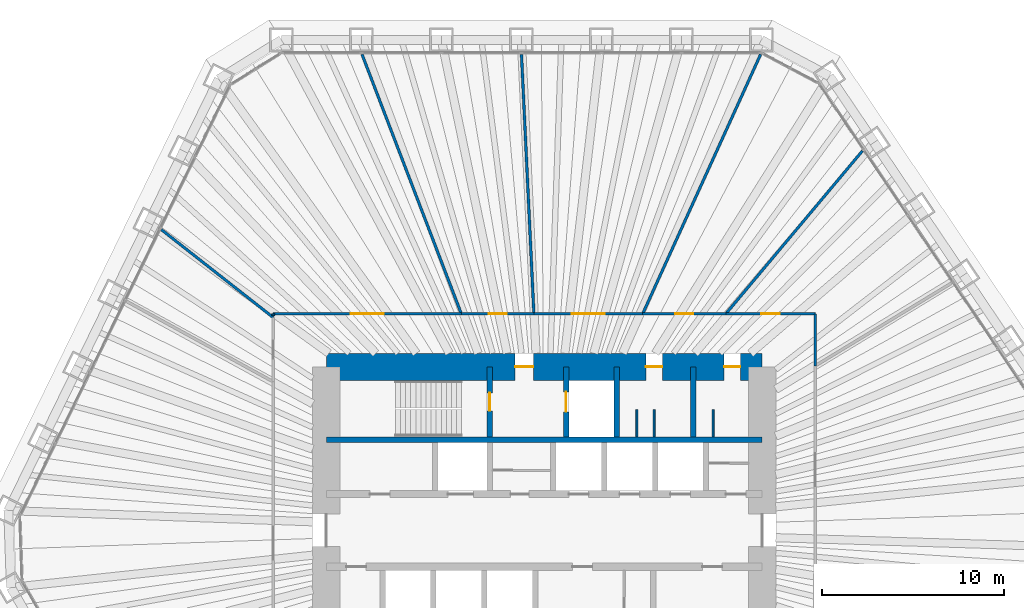
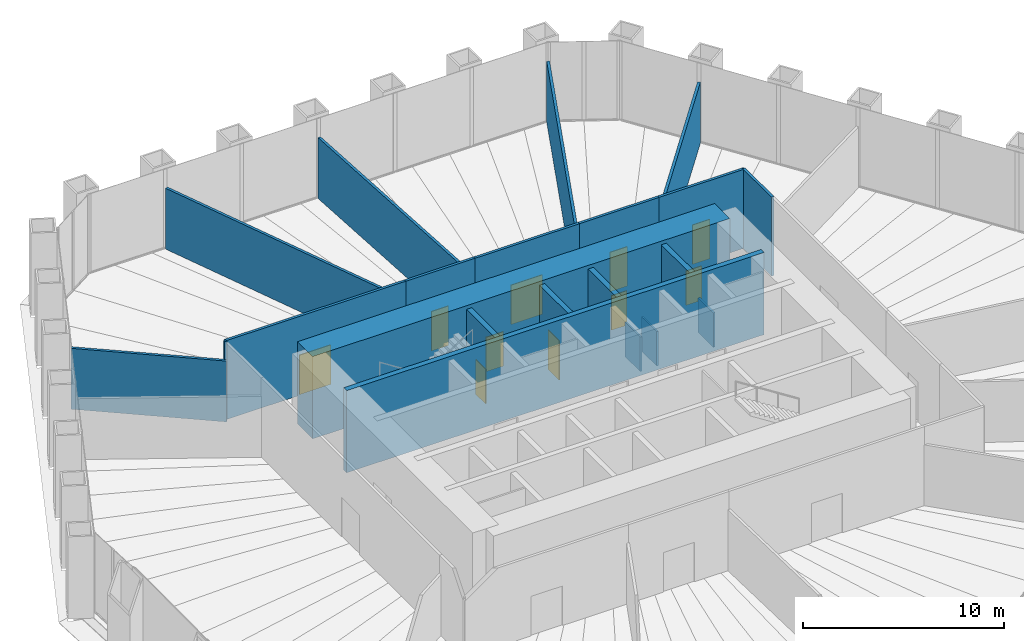
# One storey, part 12 of 14: 21 walls, 10 doors, 10 openings.
"""IFC4 building model written with IfcOpenShell, lengths in metres."""

from ifc_helpers import new_model, si_unit, direction, frame, frame_2d, origin, place, context, subcontext, project, spatial, rectangle, extrude, material, layer, layer_set, type_object, element, fill, save


model = new_model("IFC4")

# Units and contexts
model_context = context("Model", 3, precision=1e-05, world=origin(), true_north=direction((0.0, 1.0)))
body_context = subcontext(model_context, "Body", "Model", "MODEL_VIEW")
ifc_project = project(units=[si_unit("LENGTHUNIT", "METRE"), si_unit("AREAUNIT", "SQUARE_METRE"), si_unit("VOLUMEUNIT", "CUBIC_METRE"), si_unit("PLANEANGLEUNIT", "RADIAN"), si_unit("MASSUNIT", "GRAM", prefix="KILO")], contexts=[model_context])

# Site, building, storey
site_placement = place(None, origin())
site = spatial("IfcSite", under=ifc_project, at=site_placement, CompositionType="ELEMENT")
building_placement = place(site_placement, origin())
building = spatial("IfcBuilding", under=site, at=building_placement, Name="Qingtian Harvest Tower", CompositionType="ELEMENT")
storey_placement = place(building_placement, frame((0.0, 0.0, 57.0)))
storey = spatial("IfcBuildingStorey", under=building, at=storey_placement, Name="L11", CompositionType="ELEMENT", Elevation=57.0)

# Wall
ifc_material_1 = material(Name="Concrete fc' 70 MPa", Category="concrete")
ifc_layer_1 = layer(ifc_material_1, 0.300048828125)
ifc_layer_set_1 = layer_set([ifc_layer_1], Name="Core inner wall RC5 300")
wall_type_1 = type_object("IfcWallType", Name="Core inner wall RC5 300", PredefinedType="SHEAR", material=ifc_layer_set_1)
wall_1_placement = place(storey_placement, frame((-12.0, 5.0, 0.0), z_axis=(0.0, 0.0, 1.0), x_axis=(1.0, 0.0, 0.0)))
element("IfcWall", 1, at=wall_1_placement, inside=storey, type_object=wall_type_1, Name="Core wall IN5 L11", PredefinedType="SHEAR", context=body_context, shape_type="SweptSolid", body=[
    extrude(rectangle(XDim=24.0, YDim=0.300048828125, at=frame_2d((12.0, 0.0))), origin(), (0.0, 0.0, 1.0), 5.0),
])

# Wall, opening, door
ifc_material_2 = material(Name="Precast concrete shaft panel", Category="concrete")
ifc_layer_2 = layer(ifc_material_2, 0.300048828125)
ifc_layer_set_2 = layer_set([ifc_layer_2], Name="Core shaft partition SW1 300")
wall_type_2 = type_object("IfcWallType", Name="Core shaft partition SW1 300", PredefinedType="PARTITIONING", material=ifc_layer_set_2)
wall_2_placement = place(storey_placement, frame((-3.0, 5.14990234375, 0.0), z_axis=(0.0, 0.0, 1.0), x_axis=(0.0, 1.0, 0.0)))
wall_2 = element("IfcWall", 2, at=wall_2_placement, inside=storey, type_object=wall_type_2, Name="Core shaft partition XN1 L11", PredefinedType="PARTITIONING", context=body_context, shape_type="SweptSolid", body=[
    extrude(rectangle(XDim=3.85009765625, YDim=0.300048828125, at=frame_2d((1.925048828125, 0.0))), origin(), (0.0, 0.0, 1.0), 4.780029296875),
])
opening_1_placement = place(wall_2_placement, frame((1.425048828125, 0.0, 0.0)))
opening_1 = element("IfcOpeningElement", 3, at=opening_1_placement, cuts=wall_2, Name="Opening FD1", PredefinedType="OPENING", context=body_context, shape_type="SweptSolid", body=[
    extrude(rectangle(XDim=1.0, YDim=2.10009765625, at=frame_2d((0.5, 1.050048828125))), frame((0.0, 0.159912109375, 0.0), z_axis=(0.0, -1.0, 0.0), x_axis=(1.0, 0.0, 0.0)), (0.0, 0.0, 1.0), 0.320068359375),
])
ifc_material_3 = material(Name="Steel-faced door leaf", Category="steel")
door_type_1 = type_object("IfcDoorType", Name="Fire door FD1 single 1 HR", OperationType="SINGLE_SWING_LEFT", PredefinedType="DOOR", material=ifc_material_3)
door_1_placement = place(opening_1_placement, origin())
door_1 = element("IfcDoor", 4, at=door_1_placement, inside=storey, type_object=door_type_1, Name="S1 door L11", OperationType="SINGLE_SWING_RIGHT", OverallHeight=2.10009765625, OverallWidth=1.0, PredefinedType="DOOR", context=body_context, shape_type="SweptSolid", body=[
    extrude(rectangle(XDim=1.0, YDim=2.10009765625, at=frame_2d((0.5, 1.050048828125))), frame((0.0, 0.02490234375, 0.0), z_axis=(0.0, -1.0, 0.0), x_axis=(1.0, 0.0, 0.0)), (0.0, 0.0, 1.0), 0.050048828125),
])
fill(opening_1, door_1)

wall_3_placement = place(storey_placement, frame((1.199951171875, 5.14990234375, 0.0), z_axis=(0.0, 0.0, 1.0), x_axis=(0.0, 1.0, 0.0)))
wall_3 = element("IfcWall", 5, at=wall_3_placement, inside=storey, type_object=wall_type_2, Name="Core shaft partition XN2 L11", PredefinedType="PARTITIONING", context=body_context, shape_type="SweptSolid", body=[
    extrude(rectangle(XDim=3.85009765625, YDim=0.300048828125, at=frame_2d((1.925048828125, 0.0))), origin(), (0.0, 0.0, 1.0), 4.780029296875),
])
opening_2_placement = place(wall_3_placement, frame((1.375, 0.0, 0.0)))
opening_2 = element("IfcOpeningElement", 6, at=opening_2_placement, cuts=wall_3, Name="Opening LD1", PredefinedType="OPENING", context=body_context, shape_type="SweptSolid", body=[
    extrude(rectangle(XDim=1.10009765625, YDim=2.39990234375, at=frame_2d((0.550048828125, 1.199951171875))), frame((0.0, 0.159912109375, 0.0), z_axis=(0.0, -1.0, 0.0), x_axis=(1.0, 0.0, 0.0)), (0.0, 0.0, 1.0), 0.320068359375),
])
ifc_material_4 = material(Name="Stainless steel lift landing door", Category="steel")
door_type_2 = type_object("IfcDoorType", Name="Lift landing door LD1 1 HR", OperationType="DOUBLE_DOOR_SLIDING", PredefinedType="DOOR", material=ifc_material_4)
door_2_placement = place(opening_2_placement, origin())
door_2 = element("IfcDoor", 7, at=door_2_placement, inside=storey, type_object=door_type_2, Name="FL1 landing door L11", OperationType="DOUBLE_DOOR_SLIDING", OverallHeight=2.39990234375, OverallWidth=1.10009765625, PredefinedType="DOOR", context=body_context, shape_type="SweptSolid", body=[
    extrude(rectangle(XDim=1.10009765625, YDim=2.39990234375, at=frame_2d((0.550048828125, 1.199951171875))), frame((0.0, 0.02490234375, 0.0), z_axis=(0.0, -1.0, 0.0), x_axis=(1.0, 0.0, 0.0)), (0.0, 0.0, 1.0), 0.050048828125),
])
fill(opening_2, door_2)

# Walls
for number, where, z_axis, x_axis, name in (
    (8, (4.0, 5.14990234375, 0.0), (0.0, 0.0, 1.0), (0.0, 1.0, 0.0), "Core shaft partition XN3 L11"),
    (9, (8.199951171875, 5.14990234375, 0.0), (0.0, 0.0, 1.0), (0.0, 1.0, 0.0), "Core shaft partition XN4 L11"),
):
    element("IfcWall", number, at=place(storey_placement, frame(where, z_axis=z_axis, x_axis=x_axis)), inside=storey, type_object=wall_type_2, Name=name, PredefinedType="PARTITIONING", context=body_context, shape_type="SweptSolid", body=[
        extrude(rectangle(XDim=3.85009765625, YDim=0.300048828125, at=frame_2d((1.925048828125, 0.0))), origin(), (0.0, 0.0, 1.0), 4.780029296875),
    ])

# Wall, openings, doors
ifc_material_5 = material(Name="Concrete fc' 70 MPa", Category="concrete")
ifc_layer_3 = layer(ifc_material_5, 1.5)
ifc_layer_set_3 = layer_set([ifc_layer_3], Name="Core wall RC1 1500")
wall_type_3 = type_object("IfcWallType", Name="Core wall RC1 1500", PredefinedType="SHEAR", material=ifc_layer_set_3)
wall_4_placement = place(storey_placement, frame((-12.0, 9.0, 0.0), z_axis=(0.0, 0.0, 1.0), x_axis=(1.0, 0.0, 0.0)))
wall_4 = element("IfcWall", 10, at=wall_4_placement, inside=storey, type_object=wall_type_3, Name="Core wall CN L11", PredefinedType="SHEAR", context=body_context, shape_type="SweptSolid", body=[
    extrude(rectangle(XDim=24.0, YDim=1.5, at=frame_2d((12.0, 0.0))), origin(), (0.0, 0.0, 1.0), 5.0),
])
opening_3_placement = place(wall_4_placement, frame((10.39990234375, 0.0, 0.0)))
opening_3 = element("IfcOpeningElement", 11, at=opening_3_placement, cuts=wall_4, Name="Opening FD1", PredefinedType="OPENING", context=body_context, shape_type="SweptSolid", body=[
    extrude(rectangle(XDim=1.0, YDim=2.10009765625, at=frame_2d((0.5, 1.050048828125))), frame((0.0, 0.760009765625, 0.0), z_axis=(0.0, -1.0, 0.0), x_axis=(1.0, 0.0, 0.0)), (0.0, 0.0, 1.0), 1.52001953125),
])
opening_4_placement = place(wall_4_placement, frame((17.60009765625, 0.0, 0.0)))
opening_4 = element("IfcOpeningElement", 12, at=opening_4_placement, cuts=wall_4, Name="Opening D1", PredefinedType="OPENING", context=body_context, shape_type="SweptSolid", body=[
    extrude(rectangle(XDim=0.89990234375, YDim=2.10009765625, at=frame_2d((0.449951171875, 1.050048828125))), frame((0.0, 0.760009765625, 0.0), z_axis=(0.0, -1.0, 0.0), x_axis=(1.0, 0.0, 0.0)), (0.0, 0.0, 1.0), 1.52001953125),
])
opening_5_placement = place(wall_4_placement, frame((21.89990234375, 0.0, 0.0)))
opening_5 = element("IfcOpeningElement", 13, at=opening_5_placement, cuts=wall_4, Name="Opening D1", PredefinedType="OPENING", context=body_context, shape_type="SweptSolid", body=[
    extrude(rectangle(XDim=0.89990234375, YDim=2.10009765625, at=frame_2d((0.449951171875, 1.050048828125))), frame((0.0, 0.760009765625, 0.0), z_axis=(0.0, -1.0, 0.0), x_axis=(1.0, 0.0, 0.0)), (0.0, 0.0, 1.0), 1.52001953125),
])
door_3_placement = place(opening_3_placement, origin())
door_3 = element("IfcDoor", 14, at=door_3_placement, inside=storey, type_object=door_type_1, Name="V1 door L11", OperationType="SINGLE_SWING_RIGHT", OverallHeight=2.10009765625, OverallWidth=1.0, PredefinedType="DOOR", context=body_context, shape_type="SweptSolid", body=[
    extrude(rectangle(XDim=1.0, YDim=2.10009765625, at=frame_2d((0.5, 1.050048828125))), frame((0.0, 0.02490234375, 0.0), z_axis=(0.0, -1.0, 0.0), x_axis=(1.0, 0.0, 0.0)), (0.0, 0.0, 1.0), 0.050048828125),
])
fill(opening_3, door_3)
ifc_material_6 = material(Name="Laminated timber door leaf", Category="wood")
door_type_3 = type_object("IfcDoorType", Name="Toilet door D1 single", OperationType="SINGLE_SWING_LEFT", PredefinedType="DOOR", material=ifc_material_6)
door_4_placement = place(opening_4_placement, origin())
door_4 = element("IfcDoor", 15, at=door_4_placement, inside=storey, type_object=door_type_3, Name="WCM door L11", OperationType="SINGLE_SWING_LEFT", OverallHeight=2.10009765625, OverallWidth=0.89990234375, PredefinedType="DOOR", context=body_context, shape_type="SweptSolid", body=[
    extrude(rectangle(XDim=0.89990234375, YDim=2.10009765625, at=frame_2d((0.449951171875, 1.050048828125))), frame((0.0, 0.02490234375, 0.0), z_axis=(0.0, -1.0, 0.0), x_axis=(1.0, 0.0, 0.0)), (0.0, 0.0, 1.0), 0.050048828125),
])
fill(opening_4, door_4)
door_5_placement = place(opening_5_placement, origin())
door_5 = element("IfcDoor", 16, at=door_5_placement, inside=storey, type_object=door_type_3, Name="WCF door L11", OperationType="SINGLE_SWING_LEFT", OverallHeight=2.10009765625, OverallWidth=0.89990234375, PredefinedType="DOOR", context=body_context, shape_type="SweptSolid", body=[
    extrude(rectangle(XDim=0.89990234375, YDim=2.10009765625, at=frame_2d((0.449951171875, 1.050048828125))), frame((0.0, 0.02490234375, 0.0), z_axis=(0.0, -1.0, 0.0), x_axis=(1.0, 0.0, 0.0)), (0.0, 0.0, 1.0), 0.050048828125),
])
fill(opening_5, door_5)

# Walls
ifc_material_7 = material(Name="Gypsum board on steel studs", Category="steel")
ifc_layer_4 = layer(ifc_material_7, 0.14990234375)
ifc_layer_set_4 = layer_set([ifc_layer_4], Name="Partition PT1 150")
wall_type_4 = type_object("IfcWallType", Name="Partition PT1 150", PredefinedType="PARTITIONING", material=ifc_layer_set_4)
wall_5_placement = place(storey_placement, frame((-21.077392578125, 16.556640625, 0.0), z_axis=(0.0, 0.0, 1.0), x_axis=(0.78639413325, -0.617725074115, 0.0)))
element("IfcWall", 17, at=wall_5_placement, inside=storey, type_object=wall_type_4, Name="Packing room wall L11", PredefinedType="PARTITIONING", context=body_context, shape_type="SweptSolid", body=[
    extrude(rectangle(XDim=7.823486328125, YDim=0.14990234375, at=frame_2d((3.91162109375, 0.0))), origin(), (0.0, 0.0, 1.0), 3.699951171875),
])
wall_6_placement = place(storey_placement, frame((-14.925048828125, 11.819091796875, 0.0), z_axis=(0.0, 0.0, 1.0), x_axis=(0.0, 1.0, 0.0)))
element("IfcWall", 18, at=wall_6_placement, inside=storey, type_object=wall_type_4, Name="Packing room wall L11", PredefinedType="PARTITIONING", context=body_context, shape_type="SweptSolid", body=[
    extrude(rectangle(XDim=0.10595703125, YDim=0.14990234375, at=frame_2d((0.052978515625, 0.0))), origin(), (0.0, 0.0, 1.0), 4.800048828125),
])

# Wall, opening, door
wall_7_placement = place(storey_placement, frame((-14.925048828125, 11.925048828125, 0.0), z_axis=(0.0, 0.0, 1.0), x_axis=(1.0, 0.0, 0.0)))
wall_7 = element("IfcWall", 19, at=wall_7_placement, inside=storey, type_object=wall_type_4, Name="Packing room wall L11", PredefinedType="PARTITIONING", context=body_context, shape_type="SweptSolid", body=[
    extrude(rectangle(XDim=10.360595703125, YDim=0.14990234375, at=frame_2d((5.18017578125, 0.0))), origin(), (0.0, 0.0, 1.0), 4.800048828125),
])
opening_6_placement = place(wall_7_placement, frame((4.2802734375, 0.0, 0.0)))
opening_6 = element("IfcOpeningElement", 20, at=opening_6_placement, cuts=wall_7, Name="Opening D3", PredefinedType="OPENING", context=body_context, shape_type="SweptSolid", body=[
    extrude(rectangle(XDim=1.800048828125, YDim=2.39990234375, at=frame_2d((0.89990234375, 1.199951171875))), frame((0.0, 0.0849609375, 0.0), z_axis=(0.0, -1.0, 0.0), x_axis=(1.0, 0.0, 0.0)), (0.0, 0.0, 1.0), 0.169921875),
])
ifc_material_8 = material(Name="Laminated timber door leaf", Category="wood")
door_type_4 = type_object("IfcDoorType", Name="Room door D3 double", OperationType="DOUBLE_DOOR_DOUBLE_SWING", PredefinedType="DOOR", material=ifc_material_8)
door_6_placement = place(opening_6_placement, origin())
door_6 = element("IfcDoor", 21, at=door_6_placement, inside=storey, type_object=door_type_4, Name="Packing room door L11", OperationType="DOUBLE_DOOR_DOUBLE_SWING", OverallHeight=2.39990234375, OverallWidth=1.800048828125, PredefinedType="DOOR", context=body_context, shape_type="SweptSolid", body=[
    extrude(rectangle(XDim=1.800048828125, YDim=2.39990234375, at=frame_2d((0.89990234375, 1.199951171875))), frame((0.0, 0.02490234375, 0.0), z_axis=(0.0, -1.0, 0.0), x_axis=(1.0, 0.0, 0.0)), (0.0, 0.0, 1.0), 0.050048828125),
])
fill(opening_6, door_6)

# Wall
wall_8_placement = place(storey_placement, frame((-10.031005859375, 26.20654296875, 0.0), z_axis=(0.0, 0.0, 1.0), x_axis=(0.357478701909, -0.933921290946, 0.0)))
element("IfcWall", 22, at=wall_8_placement, inside=storey, type_object=wall_type_4, Name="Seed store wall L11", PredefinedType="PARTITIONING", context=body_context, shape_type="SweptSolid", body=[
    extrude(rectangle(XDim=15.2919921875, YDim=0.14990234375, at=frame_2d((7.64599609375, 0.0))), origin(), (0.0, 0.0, 1.0), 3.699951171875),
])

# Wall, opening, door
wall_9_placement = place(storey_placement, frame((-4.564453125, 11.925048828125, 0.0), z_axis=(0.0, 0.0, 1.0), x_axis=(1.0, 0.0, 0.0)))
wall_9 = element("IfcWall", 23, at=wall_9_placement, inside=storey, type_object=wall_type_4, Name="Seed store wall L11", PredefinedType="PARTITIONING", context=body_context, shape_type="SweptSolid", body=[
    extrude(rectangle(XDim=3.994140625, YDim=0.14990234375, at=frame_2d((1.9970703125, 0.0))), origin(), (0.0, 0.0, 1.0), 4.800048828125),
])
opening_7_placement = place(wall_9_placement, frame((1.4970703125, 0.0, 0.0)))
opening_7 = element("IfcOpeningElement", 24, at=opening_7_placement, cuts=wall_9, Name="Opening D2", PredefinedType="OPENING", context=body_context, shape_type="SweptSolid", body=[
    extrude(rectangle(XDim=1.0, YDim=2.39990234375, at=frame_2d((0.5, 1.199951171875))), frame((0.0, 0.0849609375, 0.0), z_axis=(0.0, -1.0, 0.0), x_axis=(1.0, 0.0, 0.0)), (0.0, 0.0, 1.0), 0.169921875),
])
ifc_material_9 = material(Name="Laminated timber door leaf", Category="wood")
door_type_5 = type_object("IfcDoorType", Name="Room door D2 single", OperationType="SINGLE_SWING_LEFT", PredefinedType="DOOR", material=ifc_material_9)
door_7_placement = place(opening_7_placement, origin())
door_7 = element("IfcDoor", 25, at=door_7_placement, inside=storey, type_object=door_type_5, Name="Seed store door L11", OperationType="SINGLE_SWING_RIGHT", OverallHeight=2.39990234375, OverallWidth=1.0, PredefinedType="DOOR", context=body_context, shape_type="SweptSolid", body=[
    extrude(rectangle(XDim=1.0, YDim=2.39990234375, at=frame_2d((0.5, 1.199951171875))), frame((0.0, 0.02490234375, 0.0), z_axis=(0.0, -1.0, 0.0), x_axis=(1.0, 0.0, 0.0)), (0.0, 0.0, 1.0), 0.050048828125),
])
fill(opening_7, door_7)

# Wall
wall_10_placement = place(storey_placement, frame((-1.2529296875, 26.2001953125, 0.0), z_axis=(0.0, 0.0, 1.0), x_axis=(0.047763998943, -0.998858648861, 0.0)))
element("IfcWall", 26, at=wall_10_placement, inside=storey, type_object=wall_type_4, Name="Herb growing room wall L11", PredefinedType="PARTITIONING", context=body_context, shape_type="SweptSolid", body=[
    extrude(rectangle(XDim=14.29150390625, YDim=0.14990234375, at=frame_2d((7.145751953125, 0.0))), origin(), (0.0, 0.0, 1.0), 3.699951171875),
])

# Wall, opening, door
wall_11_placement = place(storey_placement, frame((-0.5703125, 11.925048828125, 0.0), z_axis=(0.0, 0.0, 1.0), x_axis=(1.0, 0.0, 0.0)))
wall_11 = element("IfcWall", 27, at=wall_11_placement, inside=storey, type_object=wall_type_4, Name="Herb growing room wall L11", PredefinedType="PARTITIONING", context=body_context, shape_type="SweptSolid", body=[
    extrude(rectangle(XDim=5.991455078125, YDim=0.14990234375, at=frame_2d((2.99560546875, 0.0))), origin(), (0.0, 0.0, 1.0), 4.800048828125),
])
opening_8_placement = place(wall_11_placement, frame((2.095703125, 0.0, 0.0)))
opening_8 = element("IfcOpeningElement", 28, at=opening_8_placement, cuts=wall_11, Name="Opening D3", PredefinedType="OPENING", context=body_context, shape_type="SweptSolid", body=[
    extrude(rectangle(XDim=1.800048828125, YDim=2.39990234375, at=frame_2d((0.89990234375, 1.199951171875))), frame((0.0, 0.0849609375, 0.0), z_axis=(0.0, -1.0, 0.0), x_axis=(1.0, 0.0, 0.0)), (0.0, 0.0, 1.0), 0.169921875),
])
door_8_placement = place(opening_8_placement, origin())
door_8 = element("IfcDoor", 29, at=door_8_placement, inside=storey, type_object=door_type_4, Name="Herb growing room door L11", OperationType="DOUBLE_DOOR_DOUBLE_SWING", OverallHeight=2.39990234375, OverallWidth=1.800048828125, PredefinedType="DOOR", context=body_context, shape_type="SweptSolid", body=[
    extrude(rectangle(XDim=1.800048828125, YDim=2.39990234375, at=frame_2d((0.89990234375, 1.199951171875))), frame((0.0, 0.02490234375, 0.0), z_axis=(0.0, -1.0, 0.0), x_axis=(1.0, 0.0, 0.0)), (0.0, 0.0, 1.0), 0.050048828125),
])
fill(opening_8, door_8)

# Wall
wall_12_placement = place(storey_placement, frame((11.914794921875, 26.208984375, 0.0), z_axis=(0.0, 0.0, 1.0), x_axis=(-0.4138533524, -0.910343563007, 0.0)))
element("IfcWall", 30, at=wall_12_placement, inside=storey, type_object=wall_type_4, Name="Dried herb store wall L11", PredefinedType="PARTITIONING", context=body_context, shape_type="SweptSolid", body=[
    extrude(rectangle(XDim=15.690673828125, YDim=0.14990234375, at=frame_2d((7.84521484375, 0.0))), origin(), (0.0, 0.0, 1.0), 3.699951171875),
])

# Wall, opening, door
wall_13_placement = place(storey_placement, frame((5.421142578125, 11.925048828125, 0.0), z_axis=(0.0, 0.0, 1.0), x_axis=(1.0, 0.0, 0.0)))
wall_13 = element("IfcWall", 31, at=wall_13_placement, inside=storey, type_object=wall_type_4, Name="Dried herb store wall L11", PredefinedType="PARTITIONING", context=body_context, shape_type="SweptSolid", body=[
    extrude(rectangle(XDim=4.577880859375, YDim=0.14990234375, at=frame_2d((2.2890625, 0.0))), origin(), (0.0, 0.0, 1.0), 4.800048828125),
])
opening_9_placement = place(wall_13_placement, frame((1.788818359375, 0.0, 0.0)))
opening_9 = element("IfcOpeningElement", 32, at=opening_9_placement, cuts=wall_13, Name="Opening D2", PredefinedType="OPENING", context=body_context, shape_type="SweptSolid", body=[
    extrude(rectangle(XDim=1.0, YDim=2.39990234375, at=frame_2d((0.5, 1.199951171875))), frame((0.0, 0.0849609375, 0.0), z_axis=(0.0, -1.0, 0.0), x_axis=(1.0, 0.0, 0.0)), (0.0, 0.0, 1.0), 0.169921875),
])
door_9_placement = place(opening_9_placement, origin())
door_9 = element("IfcDoor", 33, at=door_9_placement, inside=storey, type_object=door_type_5, Name="Dried herb store door L11", OperationType="SINGLE_SWING_LEFT", OverallHeight=2.39990234375, OverallWidth=1.0, PredefinedType="DOOR", context=body_context, shape_type="SweptSolid", body=[
    extrude(rectangle(XDim=1.0, YDim=2.39990234375, at=frame_2d((0.5, 1.199951171875))), frame((0.0, 0.02490234375, 0.0), z_axis=(0.0, -1.0, 0.0), x_axis=(1.0, 0.0, 0.0)), (0.0, 0.0, 1.0), 0.050048828125),
])
fill(opening_9, door_9)

# Wall
wall_14_placement = place(storey_placement, frame((17.5166015625, 20.890625, 0.0), z_axis=(0.0, 0.0, 1.0), x_axis=(-0.642515050703, -0.766273064658, 0.0)))
element("IfcWall", 34, at=wall_14_placement, inside=storey, type_object=wall_type_4, Name="Mint growing room wall L11", PredefinedType="PARTITIONING", context=body_context, shape_type="SweptSolid", body=[
    extrude(rectangle(XDim=11.7001953125, YDim=0.14990234375, at=frame_2d((5.85009765625, 0.0))), origin(), (0.0, 0.0, 1.0), 3.699951171875),
])

# Wall, opening, door
wall_15_placement = place(storey_placement, frame((9.9990234375, 11.925048828125, 0.0), z_axis=(0.0, 0.0, 1.0), x_axis=(1.0, 0.0, 0.0)))
wall_15 = element("IfcWall", 35, at=wall_15_placement, inside=storey, type_object=wall_type_4, Name="Mint growing room wall L11", PredefinedType="PARTITIONING", context=body_context, shape_type="SweptSolid", body=[
    extrude(rectangle(XDim=4.926025390625, YDim=0.14990234375, at=frame_2d((2.462890625, 0.0))), origin(), (0.0, 0.0, 1.0), 4.800048828125),
])
opening_10_placement = place(wall_15_placement, frame((1.962890625, 0.0, 0.0)))
opening_10 = element("IfcOpeningElement", 36, at=opening_10_placement, cuts=wall_15, Name="Opening D2", PredefinedType="OPENING", context=body_context, shape_type="SweptSolid", body=[
    extrude(rectangle(XDim=1.0, YDim=2.39990234375, at=frame_2d((0.5, 1.199951171875))), frame((0.0, 0.0849609375, 0.0), z_axis=(0.0, -1.0, 0.0), x_axis=(1.0, 0.0, 0.0)), (0.0, 0.0, 1.0), 0.169921875),
])
door_10_placement = place(opening_10_placement, origin())
door_10 = element("IfcDoor", 37, at=door_10_placement, inside=storey, type_object=door_type_5, Name="Mint growing room door L11", OperationType="SINGLE_SWING_LEFT", OverallHeight=2.39990234375, OverallWidth=1.0, PredefinedType="DOOR", context=body_context, shape_type="SweptSolid", body=[
    extrude(rectangle(XDim=1.0, YDim=2.39990234375, at=frame_2d((0.5, 1.199951171875))), frame((0.0, 0.02490234375, 0.0), z_axis=(0.0, -1.0, 0.0), x_axis=(1.0, 0.0, 0.0)), (0.0, 0.0, 1.0), 0.050048828125),
])
fill(opening_10, door_10)

# Walls
wall_16_placement = place(storey_placement, frame((14.925048828125, 11.925048828125, 0.0), z_axis=(0.0, 0.0, 1.0), x_axis=(0.0, -1.0, 0.0)))
element("IfcWall", 38, at=wall_16_placement, inside=storey, type_object=wall_type_4, Name="Mint growing room wall L11", PredefinedType="PARTITIONING", context=body_context, shape_type="SweptSolid", body=[
    extrude(rectangle(XDim=2.864013671875, YDim=0.14990234375, at=frame_2d((1.43212890625, 0.0))), origin(), (0.0, 0.0, 1.0), 4.800048828125),
])
ifc_material_10 = material(Name="Compact laminate cubicle partition", Category="plastic")
ifc_layer_5 = layer(ifc_material_10, 0.10009765625)
ifc_layer_set_5 = layer_set([ifc_layer_5], Name="WC cubicle partition WP1 100")
wall_type_5 = type_object("IfcWallType", Name="WC cubicle partition WP1 100", PredefinedType="PARTITIONING", material=ifc_layer_set_5)
for number, where, z_axis, x_axis, name in (
    (39, (5.10009765625, 5.14990234375, 0.0), (0.0, 0.0, 1.0), (0.0, 1.0, 0.0), "WC cubicle partition WCM L11"),
    (40, (6.050048828125, 5.14990234375, 0.0), (0.0, 0.0, 1.0), (0.0, 1.0, 0.0), "WC cubicle partition WCM L11"),
    (41, (9.300048828125, 5.14990234375, 0.0), (0.0, 0.0, 1.0), (0.0, 1.0, 0.0), "WC cubicle partition WCF L11"),
):
    element("IfcWall", number, at=place(storey_placement, frame(where, z_axis=z_axis, x_axis=x_axis)), inside=storey, type_object=wall_type_5, Name=name, PredefinedType="PARTITIONING", context=body_context, shape_type="SweptSolid", body=[
        extrude(rectangle(XDim=1.5, YDim=0.10009765625, at=frame_2d((0.75, 0.0))), origin(), (0.0, 0.0, 1.0), 2.10009765625),
    ])

save(model, "model.ifc")
